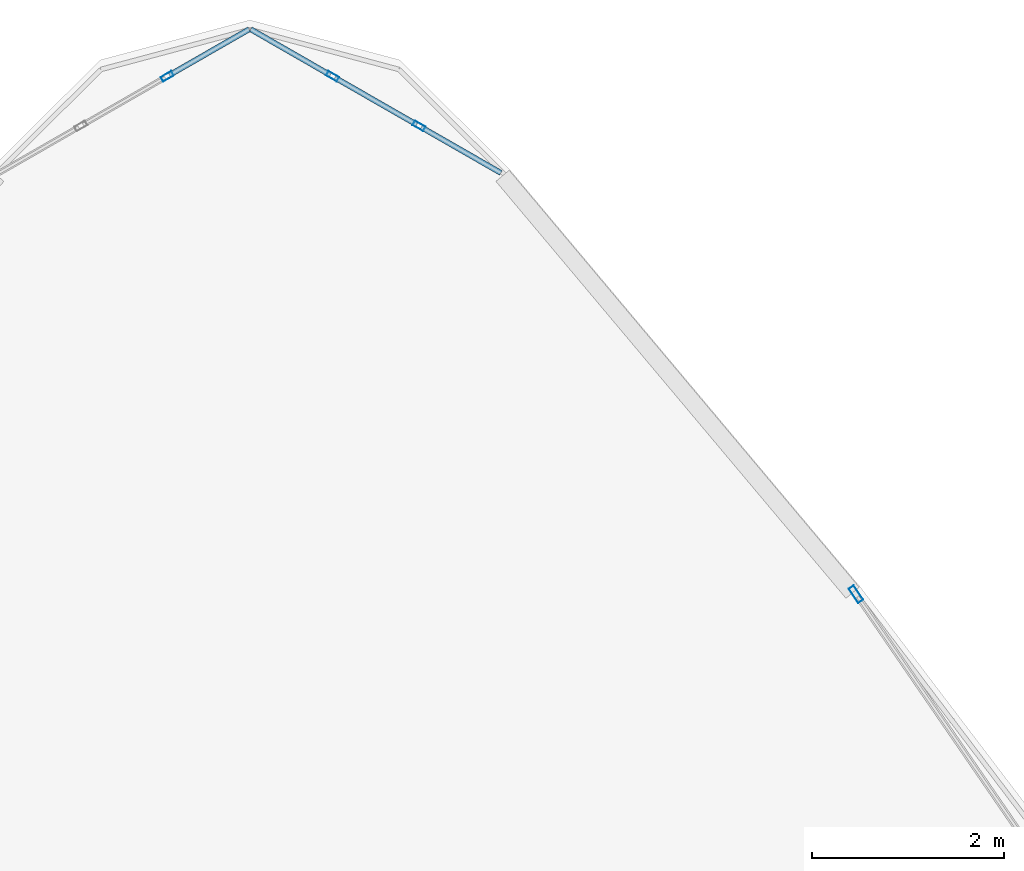
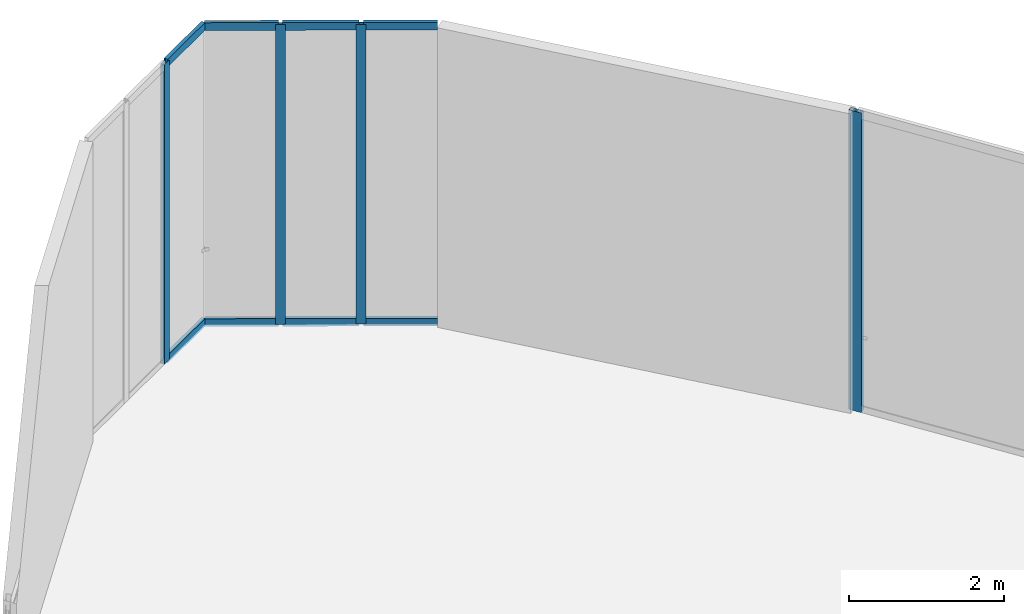
# One storey, part 26 of 32: 12 members, 3 elements without a shape of their own.
"""IFC4 building model written with IfcOpenShell, lengths in metres."""

import ifcopenshell
import ifcopenshell.guid

model = None  # the IFC model being written
_history = None  # IfcOwnerHistory: only IFC2X3 demands one
_inside = {}  # id of a spatial element -> (the spatial element, [elements in it])
_under = {}  # id of a project, library or spatial element -> (it, [spatial elements below it])
_declared = {}  # id of a project -> (the project, [libraries it declares])
_typed = {}  # id of a type object -> (the type object, [elements of that type])
_made_of = {}  # id of a material, layer set ... -> (it, [elements and type objects made of it])


def new_model(schema):
    """Start an empty IFC model of exactly this schema.

    Asked for "IFC4X3", IfcOpenShell would pick the latest addendum, in which some entities
    have other attributes; the version numbers below select the first issue.
    IFC2X3 requires an IfcOwnerHistory on every rooted entity: one is made here for all.
    """
    global model, _history
    if schema == "IFC4X3":
        model = ifcopenshell.file(schema_version=(4, 3, 0, 0))
    else:
        model = ifcopenshell.file(schema=schema)
    _inside.clear()
    _under.clear()
    _declared.clear()
    _typed.clear()
    _made_of.clear()
    _history = None
    if model.schema == "IFC2X3":
        org = make("IfcOrganization", Name="unknown")
        user = make(
            "IfcPersonAndOrganization",
            ThePerson=make("IfcPerson", FamilyName="unknown"),
            TheOrganization=org,
        )
        app = make(
            "IfcApplication",
            ApplicationDeveloper=org,
            Version="unknown",
            ApplicationFullName="unknown",
            ApplicationIdentifier="unknown",
        )
        _history = make(
            "IfcOwnerHistory",
            OwningUser=user,
            OwningApplication=app,
            ChangeAction="ADDED",
            CreationDate=0,
        )
    return model


def make(cls, **values):
    """One entity of the class cls with the attributes given. An attribute that is None is left unset."""
    return model.create_entity(
        cls, **{name: value for name, value in values.items() if value is not None}
    )


def rooted(cls, **values):
    """An entity with a GlobalId (a new one), such as an element, a storey or a relation."""
    return make(cls, GlobalId=ifcopenshell.guid.new(), OwnerHistory=_history, **values)


def si_unit(unit_type, name, prefix=None):
    """IfcSIUnit, for example si_unit("LENGTHUNIT", "METRE", prefix="MILLI")."""
    return make("IfcSIUnit", UnitType=unit_type, Prefix=prefix, Name=name)


def assignment(units):
    """IfcUnitAssignment: the units of a project."""
    return None if units is None else make("IfcUnitAssignment", Units=units)


def point(xyz):
    """IfcCartesianPoint."""
    return None if xyz is None else make("IfcCartesianPoint", Coordinates=xyz)


def direction(xyz):
    """IfcDirection."""
    return None if xyz is None else make("IfcDirection", DirectionRatios=xyz)


def frame(location, z_axis=None, x_axis=None):
    """IfcAxis2Placement3D, a coordinate frame: its origin and axes. An axis left out is left unset."""
    return make(
        "IfcAxis2Placement3D",
        Location=point(location),
        Axis=direction(z_axis),
        RefDirection=direction(x_axis),
    )


def frame_2d(location, x_axis=None):
    """IfcAxis2Placement2D, a coordinate frame in the plane: its origin and x axis."""
    return make(
        "IfcAxis2Placement2D", Location=point(location), RefDirection=direction(x_axis)
    )


def origin():
    """The frame at (0, 0, 0) with its axes left unset."""
    return frame((0.0, 0.0, 0.0))


def origin_2d():
    """The frame at (0, 0) in the plane with its x axis left unset."""
    return frame_2d((0.0, 0.0))


def place(relative_to, where):
    """IfcLocalPlacement: puts the frame where relative to a parent placement (None: the world)."""
    return make(
        "IfcLocalPlacement", PlacementRelTo=relative_to, RelativePlacement=where
    )


def context(
    kind, dimensions, precision=None, world=None, true_north=None, identifier=None
):
    """IfcGeometricRepresentationContext, for example the 3D "Model" context."""
    return make(
        "IfcGeometricRepresentationContext",
        ContextIdentifier=identifier,
        ContextType=kind,
        CoordinateSpaceDimension=dimensions,
        Precision=precision,
        WorldCoordinateSystem=world,
        TrueNorth=true_north,
    )


def subcontext(parent, identifier, kind, view, scale=None):
    """IfcGeometricRepresentationSubContext, for example "Body" below "Model"."""
    return make(
        "IfcGeometricRepresentationSubContext",
        ContextIdentifier=identifier,
        ContextType=kind,
        ParentContext=parent,
        TargetScale=scale,
        TargetView=view,
    )


def project(units=None, contexts=None):
    """IfcProject with its units and contexts."""
    return rooted(
        "IfcProject",
        Name="project",
        RepresentationContexts=contexts,
        UnitsInContext=assignment(units),
    )


def spatial(cls, under=None, at=None, **own):
    """A site, building, storey or space (cls), placed at a placement, below another one or the project."""
    s = rooted(cls, ObjectPlacement=at, **own)
    if under is not None:
        _under.setdefault(under.id(), (under, []))[1].append(s)
    return s


def profile(cls, at=None, kind="AREA", **sizes):
    """A parametric profile (cls). Its sizes go by their IFC names, for example OverallWidth=200.0."""
    return make(cls, ProfileType=kind, Position=at, **sizes)


def hollow_rectangle(**sizes):
    """IfcRectangleHollowProfileDef."""
    return profile("IfcRectangleHollowProfileDef", **sizes)


def extrude(swept, where, along, depth):
    """IfcExtrudedAreaSolid: the profile swept, set in the frame where, extruded along a direction by depth."""
    return make(
        "IfcExtrudedAreaSolid",
        SweptArea=swept,
        Position=where,
        ExtrudedDirection=direction(along),
        Depth=depth,
    )


def shape(context_of_items, identifier, shape_type, items):
    """IfcShapeRepresentation: the items that make up one representation, for example the "Body"."""
    return make(
        "IfcShapeRepresentation",
        ContextOfItems=context_of_items,
        RepresentationIdentifier=identifier,
        RepresentationType=shape_type,
        Items=items,
    )


def source(mapping_origin, context_of_items, identifier, shape_type, items):
    """IfcRepresentationMap: a shape defined once, which mapped items show again and again."""
    return make(
        "IfcRepresentationMap",
        MappingOrigin=mapping_origin,
        MappedRepresentation=shape(context_of_items, identifier, shape_type, items),
    )


def transform(
    local_origin,
    x_axis=None,
    y_axis=None,
    z_axis=None,
    scale=None,
    scale2=None,
    scale3=None,
    uniform=True,
):
    """IfcCartesianTransformationOperator3D, or its non-uniform kind. x_axis, y_axis, z_axis: its Axis1, 2, 3."""
    if uniform:
        return make(
            "IfcCartesianTransformationOperator3D",
            Axis1=direction(x_axis),
            Axis2=direction(y_axis),
            LocalOrigin=point(local_origin),
            Scale=scale,
            Axis3=direction(z_axis),
        )
    return make(
        "IfcCartesianTransformationOperator3DnonUniform",
        Axis1=direction(x_axis),
        Axis2=direction(y_axis),
        LocalOrigin=point(local_origin),
        Scale=scale,
        Axis3=direction(z_axis),
        Scale2=scale2,
        Scale3=scale3,
    )


def mapped(mapping_source, mapping_target):
    """IfcMappedItem: shows the shape of a source again, moved by a transform."""
    return make(
        "IfcMappedItem", MappingSource=mapping_source, MappingTarget=mapping_target
    )


def material(Name=None, Category=None):
    """IfcMaterial."""
    return make("IfcMaterial", Name=Name, Category=Category)


def layer(
    of_material, thickness, ventilated=None, Name=None, Category=None, Priority=None
):
    """IfcMaterialLayer: one layer of a wall or slab, of a material (None: an air gap)."""
    return make(
        "IfcMaterialLayer",
        Material=of_material,
        LayerThickness=thickness,
        IsVentilated=ventilated,
        Name=Name,
        Category=Category,
        Priority=Priority,
    )


def layer_set(layers, Name=None):
    """IfcMaterialLayerSet."""
    return make("IfcMaterialLayerSet", MaterialLayers=layers, LayerSetName=Name)


def material_profile(
    of_material, cross_section, Name=None, Category=None, Priority=None
):
    """IfcMaterialProfile: a cross section and its material."""
    return make(
        "IfcMaterialProfile",
        Name=Name,
        Material=of_material,
        Profile=cross_section,
        Priority=Priority,
        Category=Category,
    )


def profile_set(profiles, Name=None, composite=None):
    """IfcMaterialProfileSet."""
    return make(
        "IfcMaterialProfileSet",
        Name=Name,
        MaterialProfiles=profiles,
        CompositeProfile=composite,
    )


def made_of(thing, what):
    """Note that an element or type object is made of a material, layer set ...; save() writes the relation."""
    if what is not None:
        _made_of.setdefault(what.id(), (what, []))[1].append(thing)
    return thing


def type_object(cls, material=None, **own):
    """A type object (cls), such as IfcWallType, which elements share."""
    return made_of(rooted(cls, **own), material)


def element(
    cls,
    number,
    at=None,
    inside=None,
    cuts=None,
    type_object=None,
    material=None,
    context=None,
    identifier="Body",
    shape_type=None,
    held_by="IfcProductDefinitionShape",
    body=None,
    shapes=None,
    **own,
):
    """One element of the class cls, such as IfcWall. Its Tag is "e" and its number.

    at: its placement. inside: the storey or other place that contains it. cuts: it is an
    opening in that element (IfcRelVoidsElement). A single representation is given by context,
    identifier, shape_type and body (its items); several are given by shapes. held_by: the class
    of the entity that holds the representations. save() writes the other relations.
    """
    e = rooted(cls, Tag="e%d" % number, ObjectPlacement=at, **own)
    if body is not None:
        shapes = [shape(context, identifier, shape_type, body)]
    if shapes is not None:
        e.Representation = make(held_by, Representations=shapes)
    if inside is not None:
        _inside.setdefault(inside.id(), (inside, []))[1].append(e)
    if cuts is not None:
        rooted(
            "IfcRelVoidsElement", RelatingBuildingElement=cuts, RelatedOpeningElement=e
        )
    if type_object is not None:
        _typed.setdefault(type_object.id(), (type_object, []))[1].append(e)
    return made_of(e, material)


def aggregate(whole, parts):
    """IfcRelAggregates: a whole, such as a stair, and the parts it consists of."""
    return rooted("IfcRelAggregates", RelatingObject=whole, RelatedObjects=parts)


def save(model, path):
    """Write the relations noted so far, then the file.

    IfcRelAggregates (storeys below a building ...), IfcRelContainedInSpatialStructure (elements
    in a storey), IfcRelDefinesByType, IfcRelAssociatesMaterial and IfcRelDeclares: one each for
    every whole, place, type object, material and project.
    """
    for whole, parts in _under.values():
        aggregate(whole, parts)
    for where, things in _inside.values():
        rooted(
            "IfcRelContainedInSpatialStructure",
            RelatedElements=things,
            RelatingStructure=where,
        )
    for kind, things in _typed.values():
        rooted("IfcRelDefinesByType", RelatedObjects=things, RelatingType=kind)
    for what, things in _made_of.values():
        rooted("IfcRelAssociatesMaterial", RelatedObjects=things, RelatingMaterial=what)
    for by, libraries in _declared.values():
        rooted("IfcRelDeclares", RelatingContext=by, RelatedDefinitions=libraries)
    model.write(path)


model = new_model("IFC4")

# Units and contexts
model_context = context("Model", 3, precision=1e-05, world=origin(), true_north=direction((0.0, 1.0)))
body_context = subcontext(model_context, "Body", "Model", "MODEL_VIEW")
ifc_project = project(units=[si_unit("LENGTHUNIT", "METRE"), si_unit("AREAUNIT", "SQUARE_METRE"), si_unit("VOLUMEUNIT", "CUBIC_METRE"), si_unit("PLANEANGLEUNIT", "RADIAN"), si_unit("MASSUNIT", "GRAM", prefix="KILO"), si_unit("THERMODYNAMICTEMPERATUREUNIT", "KELVIN"), si_unit("POWERUNIT", "WATT")], contexts=[model_context])

# Site, building, storey
site_placement = place(None, origin())
site = spatial("IfcSite", under=ifc_project, at=site_placement, CompositionType="ELEMENT")
building_placement = place(site_placement, origin())
building = spatial("IfcBuilding", under=site, at=building_placement, Name="Yunzhuo Pagoda Commons", CompositionType="ELEMENT")
storey_placement = place(building_placement, frame((0.0, 0.0, 396.760009765625)))
storey = spatial("IfcBuildingStorey", under=building, at=storey_placement, Name="L98", CompositionType="ELEMENT", Elevation=396.760009765625)

# Curtain wall, member
ifc_material = material(Name="Anodized aluminium 6063-T6", Category="aluminium")
ifc_layer_1 = layer(ifc_material, 0.179931640625)
ifc_layer_set_1 = layer_set([ifc_layer_1], Name="Anodized aluminium 6063-T6")
curtain_wall_type_1 = type_object("IfcCurtainWallType", Name="CW-CRN Crown Gable Glazing System", PredefinedType="NOTDEFINED", material=ifc_layer_set_1)
curtain_wall_1_placement = place(storey_placement, origin())
curtain_wall_1 = element("IfcCurtainWall", 1, at=curtain_wall_1_placement, inside=storey, type_object=curtain_wall_type_1, Name="L98 curtain wall CW-L98-CRNF2G2", PredefinedType="NOTDEFINED")
ifc_material_profile_1 = material_profile(ifc_material, hollow_rectangle(XDim=0.06494140625, YDim=0.179931640625, WallThickness=0.00390625, at=origin_2d()), Name="Anodized aluminium 6063-T6")
ifc_profile_set_1 = profile_set([ifc_material_profile_1], Name="Anodized aluminium 6063-T6")
member_type_1 = type_object("IfcMemberType", Name="CW-CRN-M Mullion RHS 180x65x4", PredefinedType="MULLION", material=ifc_profile_set_1)
shared_shape_1 = source(origin(), body_context, "Body", "SweptSolid", [
    extrude(hollow_rectangle(XDim=0.06494140625, YDim=0.179931640625, WallThickness=0.00390625, at=origin_2d()), origin(), (0.0, 0.0, 1.0), 4.72021484375),
])
member_1_placement = place(storey_placement, frame((54.32080078125, 64.46875, 0.0), z_axis=(0.0, 0.0, 1.0), x_axis=(-0.824296116005, -0.566158911561, 0.0)))
member_1 = element("IfcMember", 2, at=member_1_placement, type_object=member_type_1, Name="CW mullion 5", PredefinedType="MULLION", context=body_context, shape_type="MappedRepresentation", body=[
    mapped(shared_shape_1, transform((0.0, 0.0, 0.0), scale=1.0)),
])
aggregate(curtain_wall_1, [member_1])

# Curtain wall, members
ifc_layer_2 = layer(ifc_material, 0.1298828125)
ifc_layer_set_2 = layer_set([ifc_layer_2], Name="Anodized aluminium 6063-T6")
curtain_wall_type_2 = type_object("IfcCurtainWallType", Name="CW-VTX Rounded Corner Curtain Wall", PredefinedType="NOTDEFINED", material=ifc_layer_set_2)
curtain_wall_2_placement = place(storey_placement, origin())
curtain_wall_2 = element("IfcCurtainWall", 3, at=curtain_wall_2_placement, inside=storey, type_object=curtain_wall_type_2, Name="L98 curtain wall CW-L98-CRNV3S1", PredefinedType="NOTDEFINED")
ifc_material_profile_2 = material_profile(ifc_material, hollow_rectangle(XDim=0.054931640625, YDim=0.1298828125, WallThickness=0.00341796875, at=origin_2d()), Name="Anodized aluminium 6063-T6")
ifc_profile_set_2 = profile_set([ifc_material_profile_2], Name="Anodized aluminium 6063-T6")
member_type_2 = type_object("IfcMemberType", Name="CW-VTX-M Mullion RHS 130x55x3.5", PredefinedType="MULLION", material=ifc_profile_set_2)
shared_shape_2 = source(origin(), body_context, "Body", "SweptSolid", [
    extrude(hollow_rectangle(XDim=0.054931640625, YDim=0.1298828125, WallThickness=0.00341796875, at=origin_2d()), origin(), (0.0, 0.0, 1.0), 4.72021484375),
])
member_2_placement = place(storey_placement, frame((49.763427734375, 69.3525390625, 0.0), z_axis=(0.0, 0.0, 1.0), x_axis=(-0.497936732633, -0.867213359154, 0.0)))
member_2 = element("IfcMember", 4, at=member_2_placement, type_object=member_type_2, Name="CW mullion 2", PredefinedType="MULLION", context=body_context, shape_type="MappedRepresentation", body=[
    mapped(shared_shape_2, transform((0.0, 0.0, 0.0), scale=1.0)),
])
member_3_placement = place(storey_placement, frame((48.86181640625, 69.8701171875, 0.0), z_axis=(0.0, 0.0, 1.0), x_axis=(-0.497936732633, -0.867213359154, 0.0)))
member_3 = element("IfcMember", 5, at=member_3_placement, type_object=member_type_2, Name="CW mullion 3", PredefinedType="MULLION", context=body_context, shape_type="MappedRepresentation", body=[
    mapped(shared_shape_2, transform((0.0, 0.0, 0.0), scale=1.0)),
])

# Curtain wall, member
curtain_wall_3_placement = place(storey_placement, origin())
curtain_wall_3 = element("IfcCurtainWall", 6, at=curtain_wall_3_placement, inside=storey, type_object=curtain_wall_type_2, Name="L98 curtain wall CW-L98-CRNV3S2", PredefinedType="NOTDEFINED")
member_4_placement = place(storey_placement, frame((47.13818359375, 69.8701171875, 0.0), z_axis=(0.0, 0.0, 1.0), x_axis=(0.497936732633, -0.867213359154, 0.0)))
member_4 = element("IfcMember", 7, at=member_4_placement, type_object=member_type_2, Name="CW mullion 2", PredefinedType="MULLION", context=body_context, shape_type="MappedRepresentation", body=[
    mapped(shared_shape_2, transform((0.0, 0.0, 0.0), scale=1.0)),
])

# Member
ifc_material_profile_3 = material_profile(ifc_material, hollow_rectangle(XDim=0.054931640625, YDim=0.1201171875, WallThickness=0.00341796875, at=origin_2d()), Name="Anodized aluminium 6063-T6")
ifc_profile_set_3 = profile_set([ifc_material_profile_3], Name="Anodized aluminium 6063-T6")
member_type_3 = type_object("IfcMemberType", Name="CW-VTX-T Transom RHS 120x55x3.5", PredefinedType="USERDEFINED", material=ifc_profile_set_3)
shared_shape_3 = source(origin(), body_context, "Body", "SweptSolid", [
    extrude(hollow_rectangle(XDim=0.054931640625, YDim=0.1201171875, WallThickness=0.00341796875, at=origin_2d()), origin(), (0.0, 0.0, 1.0), 0.95703125),
])
member_5_placement = place(storey_placement, frame((50.617431640625, 68.8623046875, 0.027587890625), z_axis=(-0.867173527489, 0.498006097575, 0.0), x_axis=(-0.498006097575, -0.867173527489, 0.0)))
member_5 = element("IfcMember", 8, at=member_5_placement, type_object=member_type_3, Name="CW transom 1.1", ObjectType="TRANSOM", PredefinedType="USERDEFINED", context=body_context, shape_type="MappedRepresentation", body=[
    mapped(shared_shape_3, transform((0.0, 0.0, 0.0), scale=1.0)),
])

member_6_placement = place(storey_placement, frame((50.617431640625, 68.8623046875, 4.6923828125), z_axis=(-0.867173527489, 0.498006097575, 0.0), x_axis=(-0.498006097575, -0.867173527489, 0.0)))
member_6 = element("IfcMember", 9, at=member_6_placement, type_object=member_type_3, Name="CW transom 1.2", ObjectType="TRANSOM", PredefinedType="USERDEFINED", context=body_context, shape_type="MappedRepresentation", body=[
    mapped(shared_shape_3, transform((0.0, 0.0, 0.0), scale=1.0)),
])

member_7_placement = place(storey_placement, frame((48.837890625, 69.8837890625, 0.027587890625), z_axis=(-0.867063342111, 0.498197913251, 0.0), x_axis=(-0.498197913251, -0.867063342111, 0.0)))
member_7 = element("IfcMember", 10, at=member_7_placement, type_object=member_type_3, Name="CW transom 3.1", ObjectType="TRANSOM", PredefinedType="USERDEFINED", context=body_context, shape_type="MappedRepresentation", body=[
    mapped(shared_shape_3, transform((0.0, 0.0, 0.0), scale=1.0)),
])

member_8_placement = place(storey_placement, frame((48.837890625, 69.8837890625, 4.6923828125), z_axis=(-0.867063342111, 0.498197913251, 0.0), x_axis=(-0.498197913251, -0.867063342111, 0.0)))
member_8 = element("IfcMember", 11, at=member_8_placement, type_object=member_type_3, Name="CW transom 3.2", ObjectType="TRANSOM", PredefinedType="USERDEFINED", context=body_context, shape_type="MappedRepresentation", body=[
    mapped(shared_shape_3, transform((0.0, 0.0, 0.0), scale=1.0)),
])

shared_shape_4 = source(origin(), body_context, "Body", "SweptSolid", [
    extrude(hollow_rectangle(XDim=0.054931640625, YDim=0.1201171875, WallThickness=0.00341796875, at=origin_2d()), origin(), (0.0, 0.0, 1.0), 0.984619140625),
])
member_9_placement = place(storey_placement, frame((49.739501953125, 69.3662109375, 0.027587890625), z_axis=(-0.867203521123, 0.497953866289, 0.0), x_axis=(-0.497953866289, -0.867203521123, 0.0)))
member_9 = element("IfcMember", 12, at=member_9_placement, type_object=member_type_3, Name="CW transom 2.1", ObjectType="TRANSOM", PredefinedType="USERDEFINED", context=body_context, shape_type="MappedRepresentation", body=[
    mapped(shared_shape_4, transform((0.0, 0.0, 0.0), scale=1.0)),
])

member_10_placement = place(storey_placement, frame((49.739501953125, 69.3662109375, 4.6923828125), z_axis=(-0.867203521123, 0.497953866289, 0.0), x_axis=(-0.497953866289, -0.867203521123, 0.0)))
member_10 = element("IfcMember", 13, at=member_10_placement, type_object=member_type_3, Name="CW transom 2.2", ObjectType="TRANSOM", PredefinedType="USERDEFINED", context=body_context, shape_type="MappedRepresentation", body=[
    mapped(shared_shape_4, transform((0.0, 0.0, 0.0), scale=1.0)),
])

aggregate(curtain_wall_2, [member_2, member_3, member_5, member_6, member_9, member_10, member_7, member_8])

shared_shape_5 = source(origin(), body_context, "Body", "SweptSolid", [
    extrude(hollow_rectangle(XDim=0.054931640625, YDim=0.1201171875, WallThickness=0.00341796875, at=origin_2d()), origin(), (0.0, 0.0, 1.0), 0.95751953125),
])
member_11_placement = place(storey_placement, frame((47.992431640625, 70.360595703125, 0.027587890625), z_axis=(-0.867189887215, -0.497977609448, 0.0), x_axis=(0.497977609448, -0.867189887215, 0.0)))
member_11 = element("IfcMember", 14, at=member_11_placement, type_object=member_type_3, Name="CW transom 1.1", ObjectType="TRANSOM", PredefinedType="USERDEFINED", context=body_context, shape_type="MappedRepresentation", body=[
    mapped(shared_shape_5, transform((0.0, 0.0, 0.0), scale=1.0)),
])

member_12_placement = place(storey_placement, frame((47.992431640625, 70.360595703125, 4.6923828125), z_axis=(-0.867189887215, -0.497977609448, 0.0), x_axis=(0.497977609448, -0.867189887215, 0.0)))
member_12 = element("IfcMember", 15, at=member_12_placement, type_object=member_type_3, Name="CW transom 1.2", ObjectType="TRANSOM", PredefinedType="USERDEFINED", context=body_context, shape_type="MappedRepresentation", body=[
    mapped(shared_shape_5, transform((0.0, 0.0, 0.0), scale=1.0)),
])

aggregate(curtain_wall_3, [member_4, member_11, member_12])

save(model, "model.ifc")
